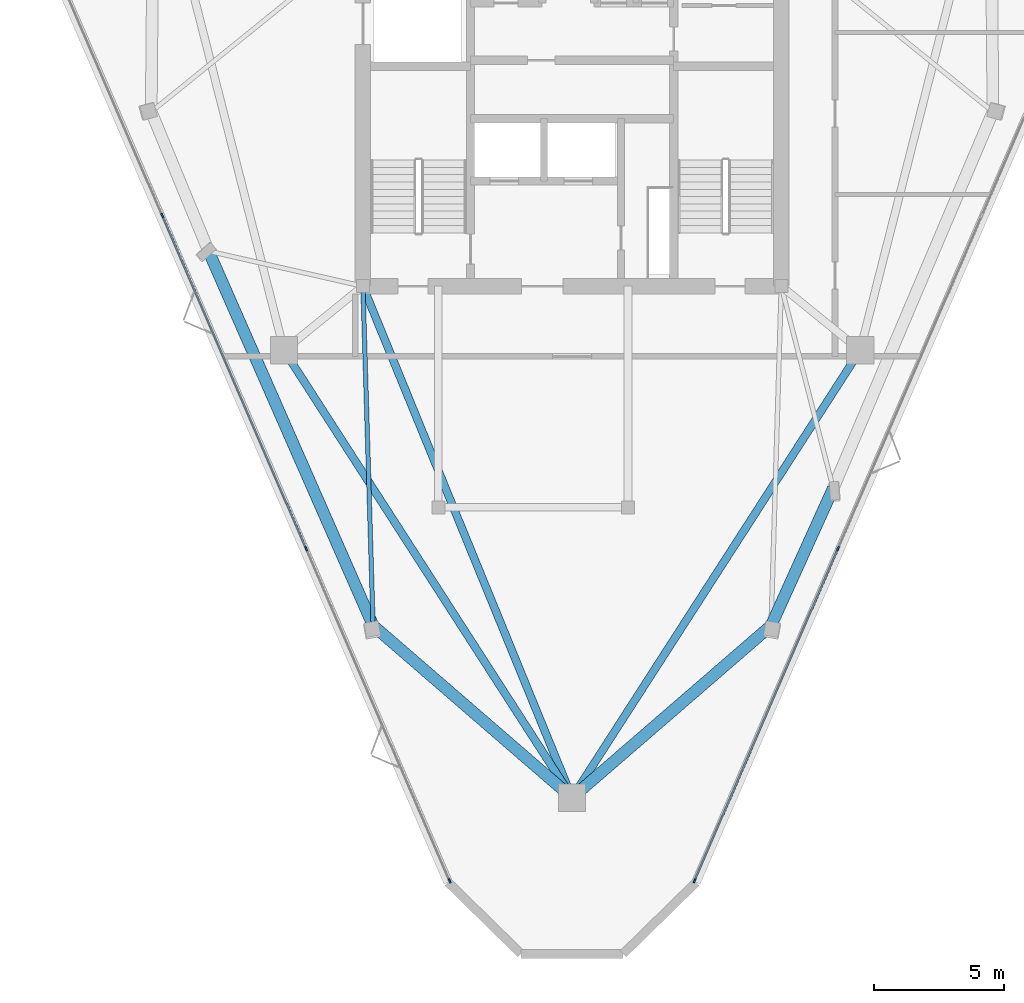
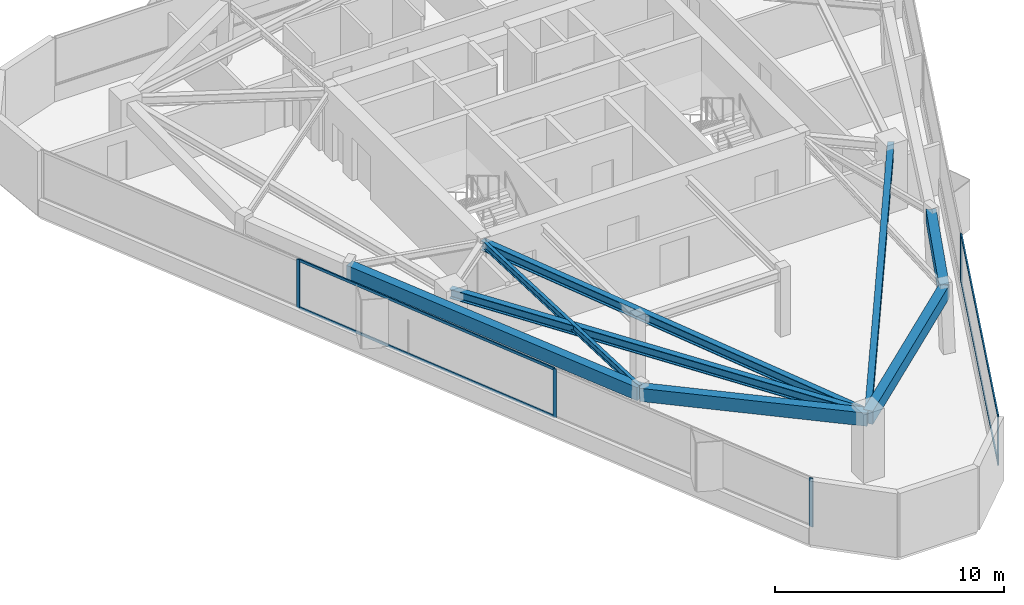
# One storey, part 2 of 11: 9 members, 8 beams, 2 elements without a shape of their own.
"""IFC4 building model written with IfcOpenShell, lengths in metres."""

from ifc_helpers import new_model, si_unit, direction, frame, origin, origin_2d, place, context, subcontext, project, spatial, rectangle, i_section, extrude, material, layer, layer_set, material_profile, profile_set, type_object, element, aggregate, save


model = new_model("IFC4")

# Units and contexts
model_context = context("Model", 3, precision=1e-05, world=origin(), true_north=direction((0.0, 1.0)))
body_context = subcontext(model_context, "Body", "Model", "MODEL_VIEW")
ifc_project = project(units=[si_unit("LENGTHUNIT", "METRE"), si_unit("AREAUNIT", "SQUARE_METRE"), si_unit("VOLUMEUNIT", "CUBIC_METRE"), si_unit("PLANEANGLEUNIT", "RADIAN"), si_unit("MASSUNIT", "GRAM", prefix="KILO")], contexts=[model_context])

# Site, building, storey
site_placement = place(None, origin())
site = spatial("IfcSite", under=ifc_project, at=site_placement, CompositionType="ELEMENT")
building_placement = place(site_placement, origin())
building = spatial("IfcBuilding", under=site, at=building_placement, Name="Talyreon Biosciences Tower", CompositionType="ELEMENT")
storey_placement = place(building_placement, frame((0.0, 0.0, 283.800048828125)))
storey = spatial("IfcBuildingStorey", under=building, at=storey_placement, Name="L75", CompositionType="ELEMENT", Elevation=283.800048828125)

# Curtain wall, members
ifc_material_1 = material(Name="Thermally broken aluminium and low-E glazing", Category="aluminium")
ifc_layer = layer(ifc_material_1, 0.175048828125)
ifc_layer_set = layer_set([ifc_layer], Name="Thermally broken aluminium and low-E glazing")
curtain_wall_type = type_object("IfcCurtainWallType", Name="CurtainWall_Zone5CompLab", PredefinedType="NOTDEFINED", material=ifc_layer_set)
curtain_wall_1_placement = place(storey_placement, origin())
curtain_wall_1 = element("IfcCurtainWall", 1, at=curtain_wall_1_placement, inside=storey, type_object=curtain_wall_type, Name="L75 Unitised Curtain Wall FCW-L75-00", PredefinedType="NOTDEFINED")
ifc_material_2 = material(Name="Anodised thermally broken aluminium", Category="aluminium")
ifc_material_profile_1 = material_profile(ifc_material_2, rectangle(XDim=0.06494140625, YDim=0.179931640625, at=origin_2d()), Name="ALUM MULLION 65x180")
ifc_profile_set_1 = profile_set([ifc_material_profile_1], Name="Anodised thermally broken aluminium")
member_type_1 = type_object("IfcMemberType", Name="CWMullion_65x180", PredefinedType="MULLION", material=ifc_profile_set_1)
member_1_placement = place(storey_placement, frame((61.286865234375, 38.467529296875, 0.81005859375), z_axis=(0.0, 0.0, 1.0), x_axis=(-0.918022435016, -0.396528446404, 0.0)))
member_1 = element("IfcMember", 2, at=member_1_placement, type_object=member_type_1, Name="CW6 mullion 1", PredefinedType="MULLION", context=body_context, shape_type="SweptSolid", body=[
    extrude(rectangle(XDim=0.06494140625, YDim=0.179931640625, at=origin_2d()), origin(), (0.0, 0.0, 1.0), 2.58984375),
])
member_2_placement = place(storey_placement, frame((55.763916015625, 51.254150390625, 0.81005859375), z_axis=(0.0, 0.0, 1.0), x_axis=(-0.918022435016, -0.396528446404, 0.0)))
member_2 = element("IfcMember", 3, at=member_2_placement, type_object=member_type_1, Name="CW6 mullion 2", PredefinedType="MULLION", context=body_context, shape_type="SweptSolid", body=[
    extrude(rectangle(XDim=0.06494140625, YDim=0.179931640625, at=origin_2d()), origin(), (0.0, 0.0, 1.0), 2.58984375),
])
member_3_placement = place(storey_placement, frame((50.227783203125, 64.070556640625, 0.81005859375), z_axis=(0.0, 0.0, 1.0), x_axis=(-0.918022435016, -0.396528446404, 0.0)))
member_3 = element("IfcMember", 4, at=member_3_placement, type_object=member_type_1, Name="CW6 mullion 3", PredefinedType="MULLION", context=body_context, shape_type="SweptSolid", body=[
    extrude(rectangle(XDim=0.06494140625, YDim=0.179931640625, at=origin_2d()), origin(), (0.0, 0.0, 1.0), 2.58984375),
])

curtain_wall_2_placement = place(storey_placement, origin())
curtain_wall_2 = element("IfcCurtainWall", 5, at=curtain_wall_2_placement, inside=storey, type_object=curtain_wall_type, Name="L75 Unitised Curtain Wall FCW-L75-08", PredefinedType="NOTDEFINED")
member_4_placement = place(storey_placement, frame((76.236083984375, 51.254150390625, 0.81005859375), z_axis=(0.0, 0.0, 1.0), x_axis=(0.918022435016, -0.396528446404, 0.0)))
member_4 = element("IfcMember", 6, at=member_4_placement, type_object=member_type_1, Name="CW6 mullion 3", PredefinedType="MULLION", context=body_context, shape_type="SweptSolid", body=[
    extrude(rectangle(XDim=0.06494140625, YDim=0.179931640625, at=origin_2d()), origin(), (0.0, 0.0, 1.0), 2.58984375),
])
member_5_placement = place(storey_placement, frame((70.713134765625, 38.467529296875, 0.81005859375), z_axis=(0.0, 0.0, 1.0), x_axis=(0.918022435016, -0.396528446404, 0.0)))
member_5 = element("IfcMember", 7, at=member_5_placement, type_object=member_type_1, Name="CW6 mullion 4", PredefinedType="MULLION", context=body_context, shape_type="SweptSolid", body=[
    extrude(rectangle(XDim=0.06494140625, YDim=0.179931640625, at=origin_2d()), origin(), (0.0, 0.0, 1.0), 2.58984375),
])

# Member
ifc_material_profile_2 = material_profile(ifc_material_2, rectangle(XDim=0.06494140625, YDim=0.139892578125, at=origin_2d()), Name="ALUM TRANSOM 65x140")
ifc_profile_set_2 = profile_set([ifc_material_profile_2], Name="Anodised thermally broken aluminium")
member_type_2 = type_object("IfcMemberType", Name="CWTransom_65x140", PredefinedType="USERDEFINED", material=ifc_profile_set_2)
member_6_placement = place(storey_placement, frame((55.7509765625, 51.283935546875, 0.842529296875), z_axis=(-0.396534284653, 0.918019913234, 0.0), x_axis=(-0.918019913234, -0.396534284653, 0.0)))
member_6 = element("IfcMember", 8, at=member_6_placement, type_object=member_type_2, Name="CW6 transom 2.1", ObjectType="TRANSOM", PredefinedType="USERDEFINED", context=body_context, shape_type="SweptSolid", body=[
    extrude(rectangle(XDim=0.06494140625, YDim=0.139892578125, at=origin_2d()), origin(), (0.0, 0.0, 1.0), 13.89599609375),
])

member_7_placement = place(storey_placement, frame((55.7509765625, 51.283935546875, 3.367431640625), z_axis=(-0.396534284653, 0.918019913234, 0.0), x_axis=(-0.918019913234, -0.396534284653, 0.0)))
member_7 = element("IfcMember", 9, at=member_7_placement, type_object=member_type_2, Name="CW6 transom 2.2", ObjectType="TRANSOM", PredefinedType="USERDEFINED", context=body_context, shape_type="SweptSolid", body=[
    extrude(rectangle(XDim=0.06494140625, YDim=0.139892578125, at=origin_2d()), origin(), (0.0, 0.0, 1.0), 13.89599609375),
])

aggregate(curtain_wall_1, [member_1, member_2, member_3, member_6, member_7])

member_8_placement = place(storey_placement, frame((76.223388671875, 51.224365234375, 0.842529296875), z_axis=(-0.396529792405, -0.918021853626, 0.0), x_axis=(0.918021853626, -0.396529792405, 0.0)))
member_8 = element("IfcMember", 10, at=member_8_placement, type_object=member_type_2, Name="CW6 transom 3.1", ObjectType="TRANSOM", PredefinedType="USERDEFINED", context=body_context, shape_type="SweptSolid", body=[
    extrude(rectangle(XDim=0.06494140625, YDim=0.139892578125, at=origin_2d()), origin(), (0.0, 0.0, 1.0), 13.863525390625),
])

member_9_placement = place(storey_placement, frame((76.223388671875, 51.224365234375, 3.367431640625), z_axis=(-0.396529792405, -0.918021853626, 0.0), x_axis=(0.918021853626, -0.396529792405, 0.0)))
member_9 = element("IfcMember", 11, at=member_9_placement, type_object=member_type_2, Name="CW6 transom 3.2", ObjectType="TRANSOM", PredefinedType="USERDEFINED", context=body_context, shape_type="SweptSolid", body=[
    extrude(rectangle(XDim=0.06494140625, YDim=0.139892578125, at=origin_2d()), origin(), (0.0, 0.0, 1.0), 13.863525390625),
])

aggregate(curtain_wall_2, [member_4, member_5, member_8, member_9])

# Beams
ifc_material_3 = material(Name="Precast concrete C45/55", Category="concrete")
ifc_material_profile_3 = material_profile(ifc_material_3, rectangle(XDim=0.449951171875, YDim=0.699951171875, at=origin_2d()), Name="RCB 450x700")
ifc_profile_set_3 = profile_set([ifc_material_profile_3], Name="Precast concrete C45/55")
beam_type_1 = type_object("IfcBeamType", Name="ExpressedSpandrel_450x700", PredefinedType="SPANDREL", material=ifc_profile_set_3)
beam_1_placement = place(storey_placement, frame((66.0, 41.6669921875, 3.050048828125), z_axis=(0.756456355886, 0.654044174074, 0.0), x_axis=(-0.654044174074, 0.756456355886, 0.0)))
element("IfcBeam", 12, at=beam_1_placement, inside=storey, type_object=beam_type_1, Name="L75 Expressed Horizontal Concrete Spandrel 01", PredefinedType="SPANDREL", context=body_context, shape_type="SweptSolid", body=[
    extrude(rectangle(XDim=0.449951171875, YDim=0.699951171875, at=origin_2d()), origin(), (0.0, 0.0, 1.0), 10.12451171875),
])
beam_2_placement = place(storey_placement, frame((73.65869140625, 48.288818359375, 3.050048828125), z_axis=(0.412191165415, 0.911097384012, 0.0), x_axis=(-0.911097384012, 0.412191165415, 0.0)))
element("IfcBeam", 13, at=beam_2_placement, inside=storey, type_object=beam_type_1, Name="L75 Expressed Horizontal Concrete Spandrel 02", PredefinedType="SPANDREL", context=body_context, shape_type="SweptSolid", body=[
    extrude(rectangle(XDim=0.449951171875, YDim=0.699951171875, at=origin_2d()), origin(), (0.0, 0.0, 1.0), 5.7998046875),
])
beam_3_placement = place(storey_placement, frame((52.010009765625, 62.69970703125, 3.050048828125), z_axis=(0.402233318727, -0.915537196025, 0.0), x_axis=(0.915537196025, 0.402233318727, 0.0)))
element("IfcBeam", 14, at=beam_3_placement, inside=storey, type_object=beam_type_1, Name="L75 Expressed Horizontal Concrete Spandrel 11", PredefinedType="SPANDREL", context=body_context, shape_type="SweptSolid", body=[
    extrude(rectangle(XDim=0.449951171875, YDim=0.699951171875, at=origin_2d()), origin(), (0.0, 0.0, 1.0), 15.740478515625),
])
beam_4_placement = place(storey_placement, frame((58.34130859375, 48.288818359375, 3.050048828125), z_axis=(0.756456355886, -0.654044174074, 0.0), x_axis=(0.654044174074, 0.756456355886, 0.0)))
element("IfcBeam", 15, at=beam_4_placement, inside=storey, type_object=beam_type_1, Name="L75 Expressed Horizontal Concrete Spandrel 12", PredefinedType="SPANDREL", context=body_context, shape_type="SweptSolid", body=[
    extrude(rectangle(XDim=0.449951171875, YDim=0.699951171875, at=origin_2d()), origin(), (0.0, 0.0, 1.0), 10.12451171875),
])
ifc_material_4 = material(Name="Steel SM355", Category="steel")
ifc_material_profile_4 = material_profile(ifc_material_4, i_section(OverallWidth=0.300048828125, OverallDepth=0.5, WebThickness=0.014404296875, FlangeThickness=0.028076171875, FilletRadius=0.027099609375, at=origin_2d()), Name="HE500B")
ifc_profile_set_4 = profile_set([ifc_material_profile_4], Name="Steel SM355")
beam_type_2 = type_object("IfcBeamType", Name="SteelBeam_HE500B", PredefinedType="BEAM", material=ifc_profile_set_4)
for number, where, z_axis, x_axis, name in (
    (16, (66.0, 41.6669921875, 3.14990234375), (0.541463723609, 0.840724114092, 0.0), (-0.840724114092, 0.541463723609, 0.0), "L75 Mega-Ring Girder 1"),
    (17, (54.913818359375, 58.88037109375, 3.14990234375), (0.541463723609, -0.840724114092, 0.0), (0.840724114092, 0.541463723609, 0.0), "L75 Mega-Ring Girder 6"),
):
    element("IfcBeam", number, at=place(storey_placement, frame(where, z_axis=z_axis, x_axis=x_axis)), inside=storey, type_object=beam_type_2, Name=name, PredefinedType="BEAM", context=body_context, shape_type="SweptSolid", body=[
        extrude(i_section(OverallWidth=0.300048828125, OverallDepth=0.5, WebThickness=0.014404296875, FlangeThickness=0.028076171875, FilletRadius=0.027099609375, at=origin_2d()), origin(), (0.0, 0.0, 1.0), 20.474365234375),
    ])
beam_5_placement = place(storey_placement, frame((57.949951171875, 61.35009765625, 3.14990234375), z_axis=(0.378547014545, -0.925582064314, 0.0), x_axis=(0.925582064314, 0.378547014545, 0.0)))
element("IfcBeam", 18, at=beam_5_placement, inside=storey, type_object=beam_type_2, Name="L75 Radial Primary Girder 1", PredefinedType="BEAM", context=body_context, shape_type="SweptSolid", body=[
    extrude(i_section(OverallWidth=0.300048828125, OverallDepth=0.5, WebThickness=0.014404296875, FlangeThickness=0.028076171875, FilletRadius=0.027099609375, at=origin_2d()), origin(), (0.0, 0.0, 1.0), 21.265625),
])
ifc_material_profile_5 = material_profile(ifc_material_4, i_section(OverallWidth=0.169921875, OverallDepth=0.360107421875, WebThickness=0.008056640625, FlangeThickness=0.0126953125, FilletRadius=0.01806640625, at=origin_2d()), Name="IPE360")
ifc_profile_set_5 = profile_set([ifc_material_profile_5], Name="Steel SM355")
beam_type_3 = type_object("IfcBeamType", Name="SteelJoist_IPE360", PredefinedType="JOIST", material=ifc_profile_set_5)
beam_6_placement = place(storey_placement, frame((57.949951171875, 61.35009765625, 3.219970703125), z_axis=(0.029949735582, -0.999551406051, 0.0), x_axis=(0.999551406051, 0.029949735582, 0.0)))
element("IfcBeam", 19, at=beam_6_placement, inside=storey, type_object=beam_type_3, Name="L75 Radial Composite Floor Joist PC-SW2", PredefinedType="JOIST", context=body_context, shape_type="SweptSolid", body=[
    extrude(i_section(OverallWidth=0.169921875, OverallDepth=0.360107421875, WebThickness=0.008056640625, FlangeThickness=0.0126953125, FilletRadius=0.01806640625, at=origin_2d()), origin(), (0.0, 0.0, 1.0), 13.067138671875),
])

save(model, "model.ifc")
